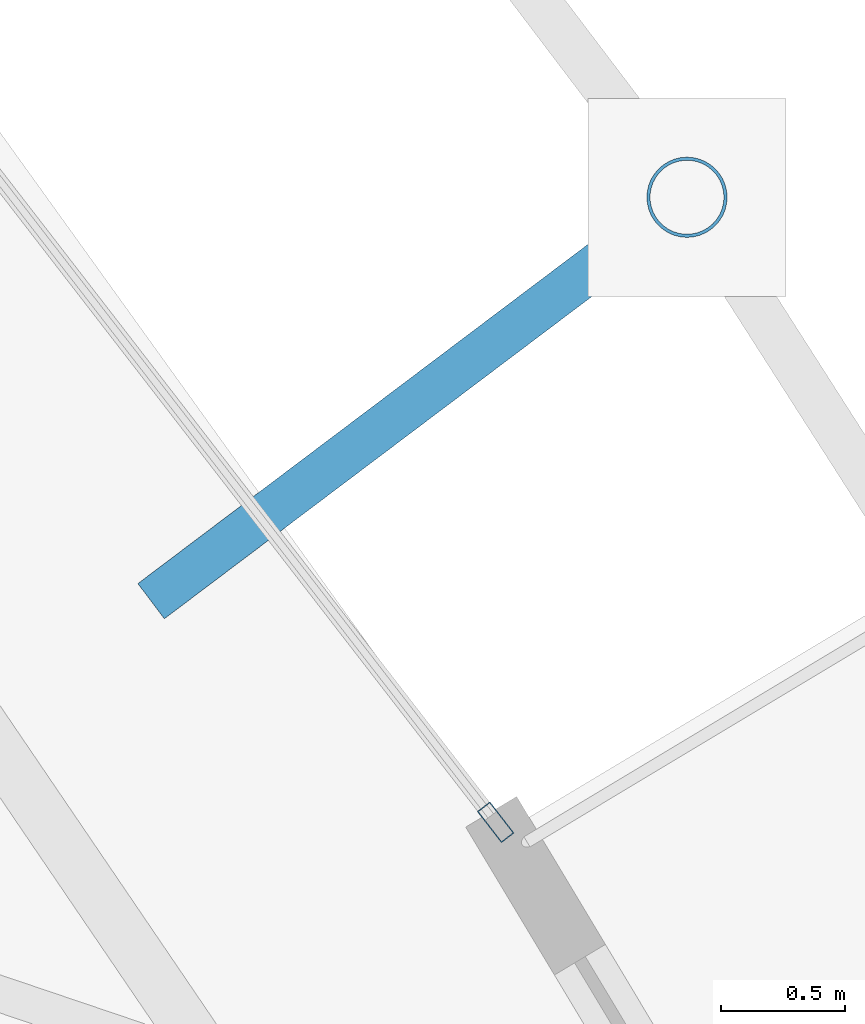
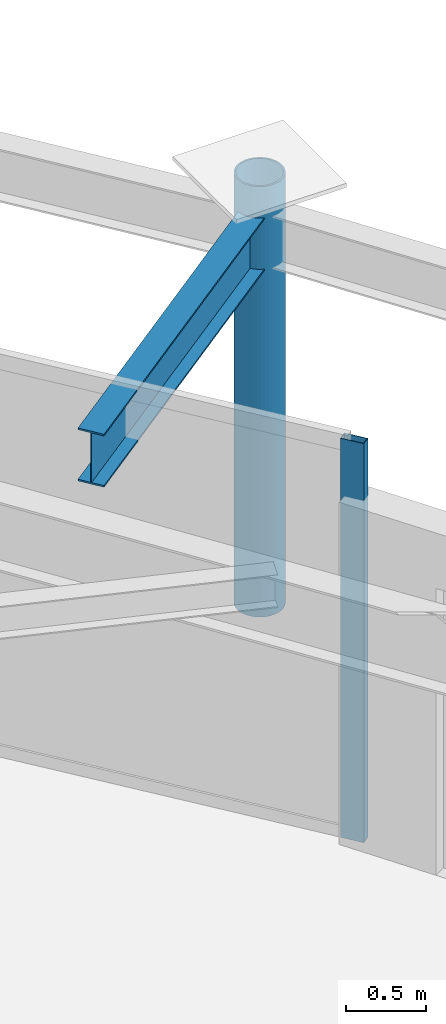
# One storey, part 19 of 28: 2 members, 1 beam, 1 element without a shape of its own.
"""IFC4 building model written with IfcOpenShell, lengths in metres."""

from ifc_helpers import new_model, si_unit, direction, frame, origin, origin_2d, place, context, subcontext, project, spatial, hollow_rectangle, hollow_circle, i_section, extrude, material, layer, layer_set, material_profile, profile_set, type_object, element, aggregate, save


model = new_model("IFC4")

# Units and contexts
model_context = context("Model", 3, precision=1e-05, world=origin(), true_north=direction((0.0, 1.0)))
body_context = subcontext(model_context, "Body", "Model", "MODEL_VIEW")
ifc_project = project(units=[si_unit("LENGTHUNIT", "METRE"), si_unit("AREAUNIT", "SQUARE_METRE"), si_unit("VOLUMEUNIT", "CUBIC_METRE"), si_unit("PLANEANGLEUNIT", "RADIAN"), si_unit("MASSUNIT", "GRAM", prefix="KILO")], contexts=[model_context])

# Site, building, storey
site_placement = place(None, origin())
site = spatial("IfcSite", under=ifc_project, at=site_placement, CompositionType="ELEMENT")
building_placement = place(site_placement, origin())
building = spatial("IfcBuilding", under=site, at=building_placement, Name="Orvanel Arch Residences", CompositionType="ELEMENT")
storey_placement = place(building_placement, frame((0.0, 0.0, 266.75)))
storey = spatial("IfcBuildingStorey", under=building, at=storey_placement, Name="L76", CompositionType="ELEMENT", Elevation=266.75)

# Curtain wall, member
ifc_material_1 = material(Name="Bronze-anodised aluminium AA6063-T6", Category="aluminium")
ifc_layer = layer(ifc_material_1, 0.175048828125)
ifc_layer_set = layer_set([ifc_layer], Name="Bronze-anodised aluminium AA6063-T6")
curtain_wall_type = type_object("IfcCurtainWallType", Name="CW4-HI-SYS", PredefinedType="NOTDEFINED", material=ifc_layer_set)
curtain_wall_placement = place(storey_placement, origin())
curtain_wall = element("IfcCurtainWall", 1, at=curtain_wall_placement, inside=storey, type_object=curtain_wall_type, Name="L76 CW4-HI-SYS Unitised Curtain Wall", PredefinedType="NOTDEFINED")
ifc_material_profile_1 = material_profile(ifc_material_1, hollow_rectangle(XDim=0.06494140625, YDim=0.159912109375, WallThickness=0.00390625, at=origin_2d()), Name="ALU160x65x4")
ifc_profile_set_1 = profile_set([ifc_material_profile_1], Name="Bronze-anodised aluminium AA6063-T6")
member_type_1 = type_object("IfcMemberType", Name="MUL-160x65", PredefinedType="MULLION", material=ifc_profile_set_1)
member_1_placement = place(storey_placement, frame((44.030029296875, 32.36279296875, 0.0), z_axis=(0.0, 0.0, 1.0), x_axis=(-0.791176992709, -0.611587251509, 0.0)))
member_1 = element("IfcMember", 2, at=member_1_placement, type_object=member_type_1, Name="CW-S4 mullion 1", PredefinedType="MULLION", context=body_context, shape_type="SweptSolid", body=[
    extrude(hollow_rectangle(XDim=0.06494140625, YDim=0.159912109375, WallThickness=0.00390625, at=origin_2d()), origin(), (0.0, 0.0, 1.0), 3.06005859375),
])
aggregate(curtain_wall, [member_1])

# Beam
ifc_material_2 = material(Name="Structural steel AS/NZS 3679.1 Grade 300 (300 MPa)", Category="steel")
ifc_material_profile_2 = material_profile(ifc_material_2, i_section(OverallWidth=0.177978515625, OverallDepth=0.406005859375, WebThickness=0.0078125, FlangeThickness=0.0126953125, at=origin_2d()), Name="410UB59.7")
ifc_profile_set_2 = profile_set([ifc_material_profile_2], Name="Structural steel AS/NZS 3679.1 Grade 300 (300 MPa)")
beam_type = type_object("IfcBeamType", Name="OB-410UB-EXT", PredefinedType="SPANDREL", material=ifc_profile_set_2)
beam_placement = place(storey_placement, frame((42.637939453125, 33.256103515625, 2.85693359375), z_axis=(0.798571333122, 0.601900179362, 0.0), x_axis=(-0.601900179362, 0.798571333122, 0.0)))
element("IfcBeam", 3, at=beam_placement, inside=storey, type_object=beam_type, Name="L76 Outer Frame Radial Tie Beam 11", PredefinedType="SPANDREL", context=body_context, shape_type="SweptSolid", body=[
    extrude(i_section(OverallWidth=0.177978515625, OverallDepth=0.406005859375, WebThickness=0.0078125, FlangeThickness=0.0126953125, at=origin_2d()), origin(), (0.0, 0.0, 1.0), 2.711181640625),
])

# Member
ifc_material_3 = material(Name="Structural steel AS/NZS 1163 C350L0 (Grade 350)", Category="steel")
ifc_material_profile_3 = material_profile(ifc_material_3, hollow_circle(Radius=0.162109375, WallThickness=0.0126953125, at=origin_2d()), Name="CHS324x12.7")
ifc_profile_set_3 = profile_set([ifc_material_profile_3], Name="Structural steel AS/NZS 1163 C350L0 (Grade 350)")
member_type_2 = type_object("IfcMemberType", Name="ST-324CHS-EXT", PredefinedType="STRUT", material=ifc_profile_set_3)
member_2_placement = place(storey_placement, frame((44.802978515625, 34.887939453125, 0.0), z_axis=(0.0, 0.0, 1.0), x_axis=(1.0, 0.0, 0.0)))
element("IfcMember", 4, at=member_2_placement, inside=storey, type_object=member_type_2, Name="L76 Outer Perimeter Frame Post 11", PredefinedType="STRUT", context=body_context, shape_type="SweptSolid", body=[
    extrude(hollow_circle(Radius=0.162109375, WallThickness=0.0126953125, at=origin_2d()), origin(), (0.0, 0.0, 1.0), 3.300048828125),
])

save(model, "model.ifc")
